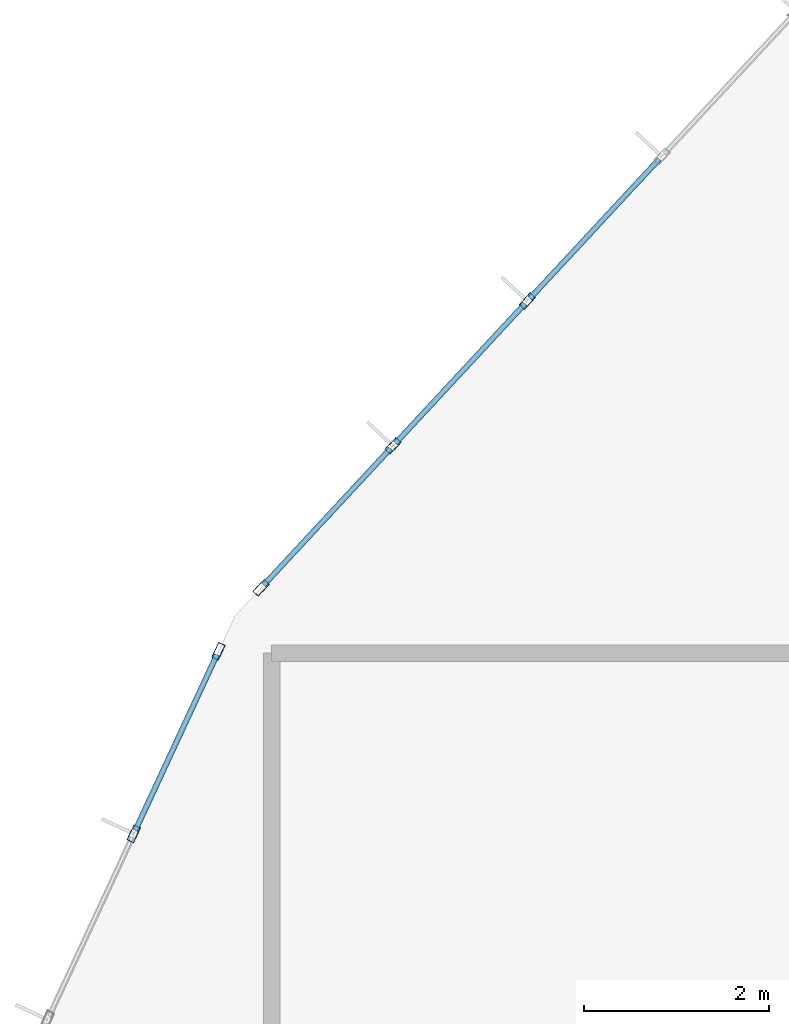
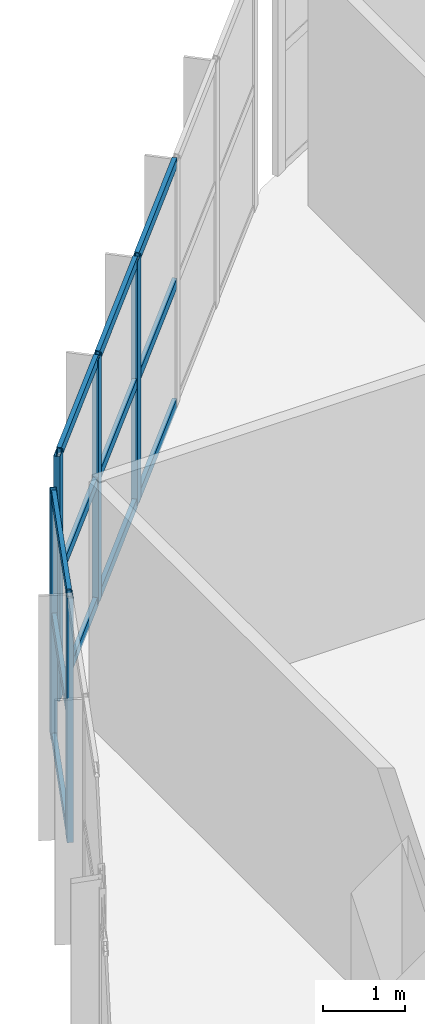
# One storey, part 29 of 139: 17 members, 2 elements without a shape of their own.
"""IFC4 building model written with IfcOpenShell, lengths in metres."""

from ifc_helpers import new_model, si_unit, direction, frame, origin, origin_2d, place, context, subcontext, project, spatial, hollow_rectangle, extrude, material, layer, layer_set, material_profile, profile_set, type_object, element, aggregate, save


model = new_model("IFC4")

# Units and contexts
model_context = context("Model", 3, precision=1e-05, world=origin(), true_north=direction((0.0, 1.0)))
body_context = subcontext(model_context, "Body", "Model", "MODEL_VIEW")
ifc_project = project(units=[si_unit("LENGTHUNIT", "METRE"), si_unit("AREAUNIT", "SQUARE_METRE"), si_unit("VOLUMEUNIT", "CUBIC_METRE"), si_unit("PLANEANGLEUNIT", "RADIAN"), si_unit("MASSUNIT", "GRAM", prefix="KILO")], contexts=[model_context])

# Site, building, storey
site_placement = place(None, origin())
site = spatial("IfcSite", under=ifc_project, at=site_placement, CompositionType="ELEMENT")
building_placement = place(site_placement, origin())
building = spatial("IfcBuilding", under=site, at=building_placement, Name="Zizhar Promenade General Hospital", CompositionType="ELEMENT")
storey_placement = place(building_placement, origin())
storey = spatial("IfcBuildingStorey", under=building, at=storey_placement, Name="L00", CompositionType="ELEMENT", Elevation=0.0)

# Curtain wall, members
ifc_material_1 = material(Name="Anodised aluminium 6063-T6 and low-E glass", Category="aluminium")
ifc_layer = layer(ifc_material_1, 0.159912109375)
ifc_layer_set = layer_set([ifc_layer], Name="Anodised aluminium 6063-T6 and low-E glass")
curtain_wall_type = type_object("IfcCurtainWallType", Name="CW-DT-MOD2", PredefinedType="NOTDEFINED", material=ifc_layer_set)
curtain_wall_1_placement = place(storey_placement, origin())
curtain_wall_1 = element("IfcCurtainWall", 1, at=curtain_wall_1_placement, inside=storey, type_object=curtain_wall_type, Name="West Diagnostic Arm Glazed Curtain Wall L00-NW1", PredefinedType="NOTDEFINED")
ifc_material_2 = material(Name="Anodised aluminium 6063-T6", Category="aluminium")
ifc_material_profile_1 = material_profile(ifc_material_2, hollow_rectangle(XDim=0.080078125, YDim=0.179931640625, WallThickness=0.0048828125, at=origin_2d()))
ifc_profile_set_1 = profile_set([ifc_material_profile_1], Name="Anodised aluminium 6063-T6")
member_type_1 = type_object("IfcMemberType", Name="CWM-ALU-180x80", PredefinedType="MULLION", material=ifc_profile_set_1)
member_1_placement = place(storey_placement, frame((6.705078125, 64.841552734375, 0.0), z_axis=(0.0, 0.0, 1.0), x_axis=(-0.907007278189, 0.421114945486, 0.0)))
member_1 = element("IfcMember", 2, at=member_1_placement, type_object=member_type_1, Name="CW-08 mullion 8", PredefinedType="MULLION", context=body_context, shape_type="SweptSolid", body=[
    extrude(hollow_rectangle(XDim=0.080078125, YDim=0.179931640625, WallThickness=0.0048828125, at=origin_2d()), origin(), (0.0, 0.0, 1.0), 3.6298828125),
])
member_2_placement = place(storey_placement, frame((7.623046875, 66.819091796875, 0.0), z_axis=(0.0, 0.0, 1.0), x_axis=(-0.907007278189, 0.421114945486, 0.0)))
member_2 = element("IfcMember", 3, at=member_2_placement, type_object=member_type_1, Name="CW-08 mullion 9", PredefinedType="MULLION", context=body_context, shape_type="SweptSolid", body=[
    extrude(hollow_rectangle(XDim=0.080078125, YDim=0.179931640625, WallThickness=0.0048828125, at=origin_2d()), origin(), (0.0, 0.0, 1.0), 3.6298828125),
])

curtain_wall_2_placement = place(storey_placement, origin())
curtain_wall_2 = element("IfcCurtainWall", 4, at=curtain_wall_2_placement, inside=storey, type_object=curtain_wall_type, Name="West Diagnostic Arm Glazed Curtain Wall L00-NW2", PredefinedType="NOTDEFINED")
member_3_placement = place(storey_placement, frame((8.0859375, 67.5078125, 0.0), z_axis=(0.0, 0.0, 1.0), x_axis=(-0.732792826081, 0.680451816108, 0.0)))
member_3 = element("IfcMember", 5, at=member_3_placement, type_object=member_type_1, Name="CW-08 mullion 1", PredefinedType="MULLION", context=body_context, shape_type="SweptSolid", body=[
    extrude(hollow_rectangle(XDim=0.080078125, YDim=0.179931640625, WallThickness=0.0048828125, at=origin_2d()), origin(), (0.0, 0.0, 1.0), 3.6298828125),
])
member_4_placement = place(storey_placement, frame((9.51513671875, 69.047119140625, 0.0), z_axis=(0.0, 0.0, 1.0), x_axis=(-0.732792826081, 0.680451816108, 0.0)))
member_4 = element("IfcMember", 6, at=member_4_placement, type_object=member_type_1, Name="CW-08 mullion 2", PredefinedType="MULLION", context=body_context, shape_type="SweptSolid", body=[
    extrude(hollow_rectangle(XDim=0.080078125, YDim=0.179931640625, WallThickness=0.0048828125, at=origin_2d()), origin(), (0.0, 0.0, 1.0), 3.6298828125),
])
member_5_placement = place(storey_placement, frame((10.9716796875, 70.61572265625, 0.0), z_axis=(0.0, 0.0, 1.0), x_axis=(-0.732792826081, 0.680451816108, 0.0)))
member_5 = element("IfcMember", 7, at=member_5_placement, type_object=member_type_1, Name="CW-08 mullion 3", PredefinedType="MULLION", context=body_context, shape_type="SweptSolid", body=[
    extrude(hollow_rectangle(XDim=0.080078125, YDim=0.179931640625, WallThickness=0.0048828125, at=origin_2d()), origin(), (0.0, 0.0, 1.0), 3.6298828125),
])

# Member
ifc_material_3 = material(Name="Anodised aluminium 6063-T6", Category="aluminium")
ifc_material_profile_2 = material_profile(ifc_material_3, hollow_rectangle(XDim=0.06005859375, YDim=0.14990234375, WallThickness=0.00390625, at=origin_2d()))
ifc_profile_set_2 = profile_set([ifc_material_profile_2], Name="Anodised aluminium 6063-T6")
member_type_2 = type_object("IfcMemberType", Name="CWT-ALU-150x60", PredefinedType="USERDEFINED", material=ifc_profile_set_2)
member_6_placement = place(storey_placement, frame((6.721923828125, 64.877685546875, 0.030029296875), z_axis=(0.421032752305, 0.907045435183, 0.0), x_axis=(-0.907045435183, 0.421032752305, 0.0)))
member_6 = element("IfcMember", 8, at=member_6_placement, type_object=member_type_2, Name="CW-08 transom 8.1", ObjectType="TRANSOM", PredefinedType="USERDEFINED", context=body_context, shape_type="SweptSolid", body=[
    extrude(hollow_rectangle(XDim=0.06005859375, YDim=0.14990234375, WallThickness=0.00390625, at=origin_2d()), origin(), (0.0, 0.0, 1.0), 2.100341796875),
])

member_7_placement = place(storey_placement, frame((6.721923828125, 64.877685546875, 1.81494140625), z_axis=(0.421032752305, 0.907045435183, 0.0), x_axis=(-0.907045435183, 0.421032752305, 0.0)))
member_7 = element("IfcMember", 9, at=member_7_placement, type_object=member_type_2, Name="CW-08 transom 8.2", ObjectType="TRANSOM", PredefinedType="USERDEFINED", context=body_context, shape_type="SweptSolid", body=[
    extrude(hollow_rectangle(XDim=0.06005859375, YDim=0.14990234375, WallThickness=0.00390625, at=origin_2d()), origin(), (0.0, 0.0, 1.0), 2.100341796875),
])

member_8_placement = place(storey_placement, frame((6.721923828125, 64.877685546875, 3.60009765625), z_axis=(0.421032752305, 0.907045435183, 0.0), x_axis=(-0.907045435183, 0.421032752305, 0.0)))
member_8 = element("IfcMember", 10, at=member_8_placement, type_object=member_type_2, Name="CW-08 transom 8.3", ObjectType="TRANSOM", PredefinedType="USERDEFINED", context=body_context, shape_type="SweptSolid", body=[
    extrude(hollow_rectangle(XDim=0.06005859375, YDim=0.14990234375, WallThickness=0.00390625, at=origin_2d()), origin(), (0.0, 0.0, 1.0), 2.100341796875),
])

aggregate(curtain_wall_1, [member_1, member_2, member_6, member_7, member_8])

member_9_placement = place(storey_placement, frame((8.113037109375, 67.537109375, 0.030029296875), z_axis=(0.680465001958, 0.732780581832, 0.0), x_axis=(-0.732780581832, 0.680465001958, 0.0)))
member_9 = element("IfcMember", 11, at=member_9_placement, type_object=member_type_2, Name="CW-08 transom 1.1", ObjectType="TRANSOM", PredefinedType="USERDEFINED", context=body_context, shape_type="SweptSolid", body=[
    extrude(hollow_rectangle(XDim=0.06005859375, YDim=0.14990234375, WallThickness=0.00390625, at=origin_2d()), origin(), (0.0, 0.0, 1.0), 2.020751953125),
])

member_10_placement = place(storey_placement, frame((8.113037109375, 67.537109375, 1.81494140625), z_axis=(0.680465001958, 0.732780581832, 0.0), x_axis=(-0.732780581832, 0.680465001958, 0.0)))
member_10 = element("IfcMember", 12, at=member_10_placement, type_object=member_type_2, Name="CW-08 transom 1.2", ObjectType="TRANSOM", PredefinedType="USERDEFINED", context=body_context, shape_type="SweptSolid", body=[
    extrude(hollow_rectangle(XDim=0.06005859375, YDim=0.14990234375, WallThickness=0.00390625, at=origin_2d()), origin(), (0.0, 0.0, 1.0), 2.020751953125),
])

member_11_placement = place(storey_placement, frame((8.113037109375, 67.537109375, 3.60009765625), z_axis=(0.680465001958, 0.732780581832, 0.0), x_axis=(-0.732780581832, 0.680465001958, 0.0)))
member_11 = element("IfcMember", 13, at=member_11_placement, type_object=member_type_2, Name="CW-08 transom 1.3", ObjectType="TRANSOM", PredefinedType="USERDEFINED", context=body_context, shape_type="SweptSolid", body=[
    extrude(hollow_rectangle(XDim=0.06005859375, YDim=0.14990234375, WallThickness=0.00390625, at=origin_2d()), origin(), (0.0, 0.0, 1.0), 2.020751953125),
])

member_12_placement = place(storey_placement, frame((9.54248046875, 69.076416015625, 0.030029296875), z_axis=(0.680437465798, 0.732806151133, 0.0), x_axis=(-0.732806151133, 0.680437465798, 0.0)))
member_12 = element("IfcMember", 14, at=member_12_placement, type_object=member_type_2, Name="CW-08 transom 2.1", ObjectType="TRANSOM", PredefinedType="USERDEFINED", context=body_context, shape_type="SweptSolid", body=[
    extrude(hollow_rectangle(XDim=0.06005859375, YDim=0.14990234375, WallThickness=0.00390625, at=origin_2d()), origin(), (0.0, 0.0, 1.0), 2.060546875),
])

member_13_placement = place(storey_placement, frame((9.54248046875, 69.076416015625, 1.81494140625), z_axis=(0.680437465798, 0.732806151133, 0.0), x_axis=(-0.732806151133, 0.680437465798, 0.0)))
member_13 = element("IfcMember", 15, at=member_13_placement, type_object=member_type_2, Name="CW-08 transom 2.2", ObjectType="TRANSOM", PredefinedType="USERDEFINED", context=body_context, shape_type="SweptSolid", body=[
    extrude(hollow_rectangle(XDim=0.06005859375, YDim=0.14990234375, WallThickness=0.00390625, at=origin_2d()), origin(), (0.0, 0.0, 1.0), 2.060546875),
])

member_14_placement = place(storey_placement, frame((9.54248046875, 69.076416015625, 3.60009765625), z_axis=(0.680437465798, 0.732806151133, 0.0), x_axis=(-0.732806151133, 0.680437465798, 0.0)))
member_14 = element("IfcMember", 16, at=member_14_placement, type_object=member_type_2, Name="CW-08 transom 2.3", ObjectType="TRANSOM", PredefinedType="USERDEFINED", context=body_context, shape_type="SweptSolid", body=[
    extrude(hollow_rectangle(XDim=0.06005859375, YDim=0.14990234375, WallThickness=0.00390625, at=origin_2d()), origin(), (0.0, 0.0, 1.0), 2.060546875),
])

member_15_placement = place(storey_placement, frame((10.9990234375, 70.64501953125, 0.030029296875), z_axis=(0.680437465798, 0.732806151133, 0.0), x_axis=(-0.732806151133, 0.680437465798, 0.0)))
member_15 = element("IfcMember", 17, at=member_15_placement, type_object=member_type_2, Name="CW-08 transom 3.1", ObjectType="TRANSOM", PredefinedType="USERDEFINED", context=body_context, shape_type="SweptSolid", body=[
    extrude(hollow_rectangle(XDim=0.06005859375, YDim=0.14990234375, WallThickness=0.00390625, at=origin_2d()), origin(), (0.0, 0.0, 1.0), 2.060546875),
])

member_16_placement = place(storey_placement, frame((10.9990234375, 70.64501953125, 1.81494140625), z_axis=(0.680437465798, 0.732806151133, 0.0), x_axis=(-0.732806151133, 0.680437465798, 0.0)))
member_16 = element("IfcMember", 18, at=member_16_placement, type_object=member_type_2, Name="CW-08 transom 3.2", ObjectType="TRANSOM", PredefinedType="USERDEFINED", context=body_context, shape_type="SweptSolid", body=[
    extrude(hollow_rectangle(XDim=0.06005859375, YDim=0.14990234375, WallThickness=0.00390625, at=origin_2d()), origin(), (0.0, 0.0, 1.0), 2.060546875),
])

member_17_placement = place(storey_placement, frame((10.9990234375, 70.64501953125, 3.60009765625), z_axis=(0.680437465798, 0.732806151133, 0.0), x_axis=(-0.732806151133, 0.680437465798, 0.0)))
member_17 = element("IfcMember", 19, at=member_17_placement, type_object=member_type_2, Name="CW-08 transom 3.3", ObjectType="TRANSOM", PredefinedType="USERDEFINED", context=body_context, shape_type="SweptSolid", body=[
    extrude(hollow_rectangle(XDim=0.06005859375, YDim=0.14990234375, WallThickness=0.00390625, at=origin_2d()), origin(), (0.0, 0.0, 1.0), 2.060546875),
])

aggregate(curtain_wall_2, [member_3, member_4, member_5, member_9, member_10, member_11, member_12, member_13, member_14, member_15, member_16, member_17])

save(model, "model.ifc")
